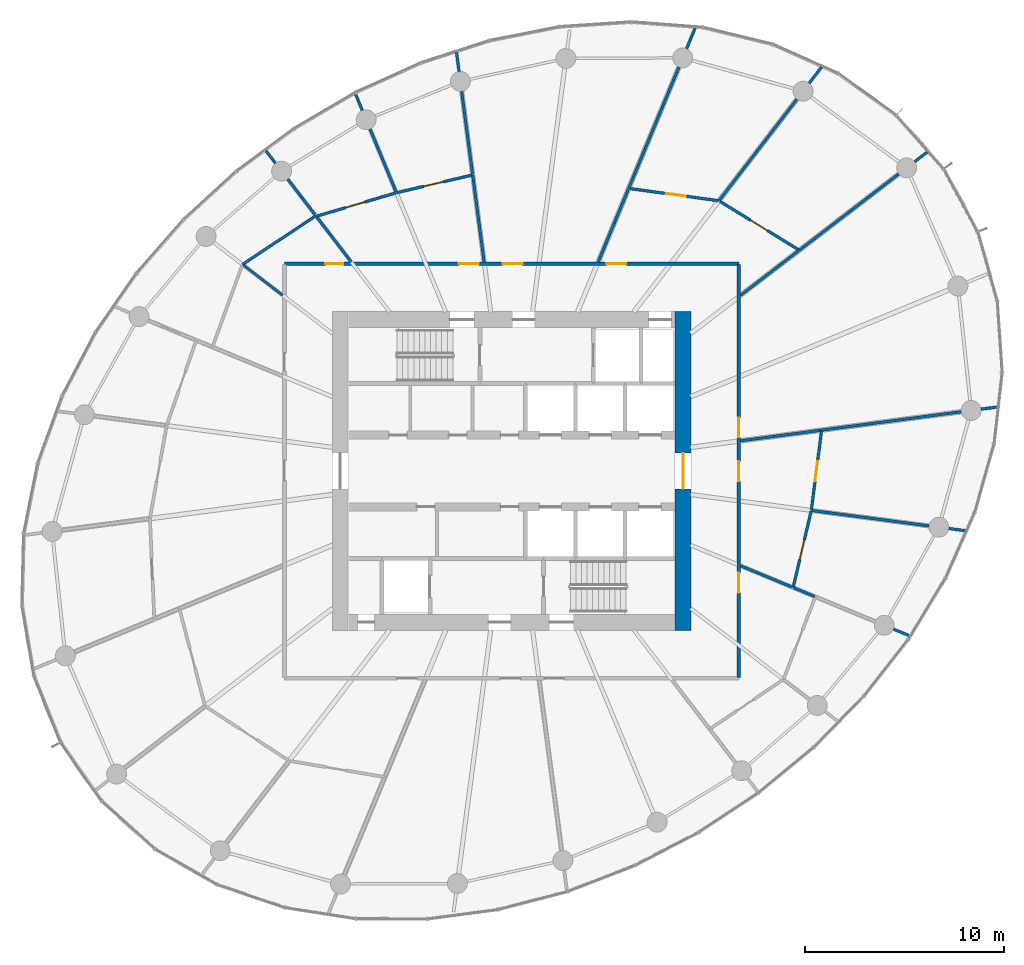
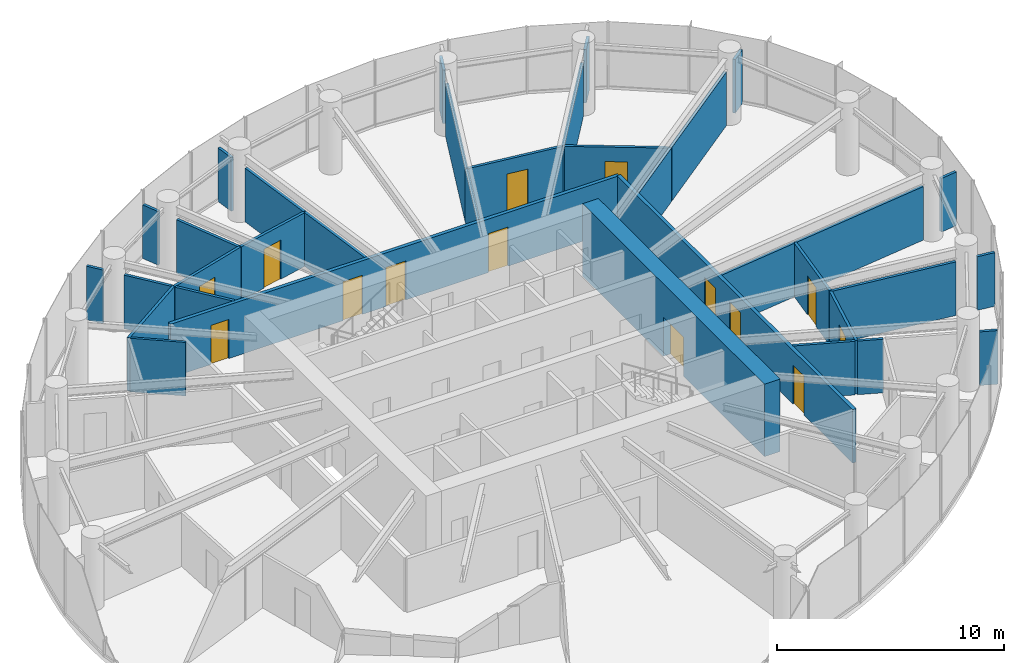
# One storey, part 11 of 15: 35 walls, 14 doors, 14 openings.
"""IFC4 building model written with IfcOpenShell, lengths in metres."""

from ifc_helpers import new_model, si_unit, direction, frame, frame_2d, origin, place, context, subcontext, project, spatial, rectangle, extrude, source, transform, mapped, material, layer, layer_set, type_object, element, fill, save


model = new_model("IFC4")

# Units and contexts
model_context = context("Model", 3, precision=1e-05, world=origin(), true_north=direction((0.0, 1.0)))
body_context = subcontext(model_context, "Body", "Model", "MODEL_VIEW")
ifc_project = project(units=[si_unit("LENGTHUNIT", "METRE"), si_unit("AREAUNIT", "SQUARE_METRE"), si_unit("VOLUMEUNIT", "CUBIC_METRE"), si_unit("PLANEANGLEUNIT", "RADIAN"), si_unit("MASSUNIT", "GRAM", prefix="KILO")], contexts=[model_context])

# Site, building, storey
site_placement = place(None, origin())
site = spatial("IfcSite", under=ifc_project, at=site_placement, CompositionType="ELEMENT")
building_placement = place(site_placement, origin())
building = spatial("IfcBuilding", under=site, at=building_placement, Name="Spindrift Exchange Tower", CompositionType="ELEMENT")
storey_placement = place(building_placement, frame((0.0, 0.0, 172.10009765625)))
storey = spatial("IfcBuildingStorey", under=building, at=storey_placement, Name="L41", CompositionType="ELEMENT", Elevation=172.10009765625)

# Wall, opening, door
ifc_material_1 = material(Name="Concrete 65 MPa", Category="concrete")
ifc_layer_1 = layer(ifc_material_1, 0.800048828125)
ifc_layer_set_1 = layer_set([ifc_layer_1], Name="RC Core Wall 800 Concrete 65 MPa")
wall_type_1 = type_object("IfcWallType", Name="RC Core Wall 800 Concrete 65 MPa", PredefinedType="SHEAR", material=ifc_layer_set_1)
wall_1_placement = place(storey_placement, frame((60.60009765625, 40.0, 0.0), z_axis=(0.0, 0.0, 1.0), x_axis=(0.0, 1.0, 0.0)))
wall_1 = element("IfcWall", 1, at=wall_1_placement, inside=storey, type_object=wall_type_1, Name="Core wall E L41", PredefinedType="SHEAR", context=body_context, shape_type="SweptSolid", body=[
    extrude(rectangle(XDim=16.0, YDim=0.800048828125, at=frame_2d((8.0, 0.0))), origin(), (0.0, 0.0, 1.0), 3.89990234375),
])
opening_1_placement = place(wall_1_placement, frame((7.10009765625, 0.0, 0.0)))
opening_1 = element("IfcOpeningElement", 2, at=opening_1_placement, cuts=wall_1, Name="Opening L41-D2", PredefinedType="OPENING", context=body_context, shape_type="SweptSolid", body=[
    extrude(rectangle(XDim=1.800048828125, YDim=2.10009765625, at=frame_2d((0.89990234375, 1.050048828125))), frame((0.0, 0.409912109375, 0.0), z_axis=(0.0, -1.0, 0.0), x_axis=(1.0, 0.0, 0.0)), (0.0, 0.0, 1.0), 0.820068359375),
])
ifc_material_2 = material(Name="Timber-core fire door", Category="wood")
door_type_1 = type_object("IfcDoorType", Name="DR-LOBBY-1800", OperationType="NOTDEFINED", PredefinedType="DOOR", material=ifc_material_2)
shared_shape_1 = source(origin(), body_context, "Body", "SweptSolid", [
    extrude(rectangle(XDim=1.800048828125, YDim=2.10009765625, at=frame_2d((0.89990234375, 1.050048828125))), frame((0.0, 0.02490234375, 0.0), z_axis=(0.0, -1.0, 0.0), x_axis=(1.0, 0.0, 0.0)), (0.0, 0.0, 1.0), 0.050048828125),
])
door_1_placement = place(opening_1_placement, origin())
door_1 = element("IfcDoor", 3, at=door_1_placement, inside=storey, type_object=door_type_1, Name="L41 Lobby door 2", OperationType="SINGLE_SWING_LEFT", OverallHeight=2.10009765625, OverallWidth=1.800048828125, PredefinedType="DOOR", context=body_context, shape_type="MappedRepresentation", body=[
    mapped(shared_shape_1, transform((0.0, 0.0, 0.0), scale=1.0)),
])
fill(opening_1, door_1)

# Wall, openings, doors
ifc_material_3 = material(Name="Fire-rated plasterboard partition", Category="gypsum")
ifc_layer_2 = layer(ifc_material_3, 0.179931640625)
ifc_layer_set_2 = layer_set([ifc_layer_2], Name="W-CORR-180")
wall_type_2 = type_object("IfcWallType", Name="W-CORR-180", PredefinedType="PARTITIONING", material=ifc_layer_set_2)
wall_2_placement = place(storey_placement, frame((40.60009765625, 58.39990234375, 0.0), z_axis=(0.0, 0.0, 1.0), x_axis=(1.0, 0.0, 0.0)))
wall_2 = element("IfcWall", 4, at=wall_2_placement, inside=storey, type_object=wall_type_2, Name="L41 Partition wall 27", PredefinedType="PARTITIONING", context=body_context, shape_type="SweptSolid", body=[
    extrude(rectangle(XDim=22.7998046875, YDim=0.179931640625, at=frame_2d((11.39990234375, 0.0))), origin(), (0.0, 0.0, 1.0), 2.8798828125),
])
opening_2_placement = place(wall_2_placement, frame((2.050048828125, 0.0, 0.0)))
opening_2 = element("IfcOpeningElement", 5, at=opening_2_placement, cuts=wall_2, Name="Opening L41-D19", PredefinedType="OPENING", context=body_context, shape_type="SweptSolid", body=[
    extrude(rectangle(XDim=0.89990234375, YDim=2.10009765625, at=frame_2d((0.449951171875, 1.050048828125))), frame((0.0, 0.099853515625, 0.0), z_axis=(0.0, -1.0, 0.0), x_axis=(1.0, 0.0, 0.0)), (0.0, 0.0, 1.0), 0.199951171875),
])
opening_3_placement = place(wall_2_placement, frame((16.14990234375, 0.0, 0.0)))
opening_3 = element("IfcOpeningElement", 6, at=opening_3_placement, cuts=wall_2, Name="Opening L41-D39", PredefinedType="OPENING", context=body_context, shape_type="SweptSolid", body=[
    extrude(rectangle(XDim=1.0, YDim=2.10009765625, at=frame_2d((0.5, 1.050048828125))), frame((0.0, 0.099853515625, 0.0), z_axis=(0.0, -1.0, 0.0), x_axis=(1.0, 0.0, 0.0)), (0.0, 0.0, 1.0), 0.199951171875),
])
opening_4_placement = place(wall_2_placement, frame((10.949951171875, 0.0, 0.0)))
opening_4 = element("IfcOpeningElement", 7, at=opening_4_placement, cuts=wall_2, Name="Opening L41-D42", PredefinedType="OPENING", context=body_context, shape_type="SweptSolid", body=[
    extrude(rectangle(XDim=1.0, YDim=2.10009765625, at=frame_2d((0.5, 1.050048828125))), frame((0.0, 0.099853515625, 0.0), z_axis=(0.0, -1.0, 0.0), x_axis=(1.0, 0.0, 0.0)), (0.0, 0.0, 1.0), 0.199951171875),
])
opening_5_placement = place(wall_2_placement, frame((8.75, 0.0, 0.0)))
opening_5 = element("IfcOpeningElement", 8, at=opening_5_placement, cuts=wall_2, Name="Opening L41-D43", PredefinedType="OPENING", context=body_context, shape_type="SweptSolid", body=[
    extrude(rectangle(XDim=1.0, YDim=2.10009765625, at=frame_2d((0.5, 1.050048828125))), frame((0.0, 0.099853515625, 0.0), z_axis=(0.0, -1.0, 0.0), x_axis=(1.0, 0.0, 0.0)), (0.0, 0.0, 1.0), 0.199951171875),
])
door_type_2 = type_object("IfcDoorType", Name="DR-ROOM-1000", OperationType="NOTDEFINED", PredefinedType="DOOR", material=ifc_material_2)
shared_shape_2 = source(origin(), body_context, "Body", "SweptSolid", [
    extrude(rectangle(XDim=1.0, YDim=2.10009765625, at=frame_2d((0.5, 1.050048828125))), frame((0.0, 0.02490234375, 0.0), z_axis=(0.0, -1.0, 0.0), x_axis=(1.0, 0.0, 0.0)), (0.0, 0.0, 1.0), 0.050048828125),
])
door_2_placement = place(opening_3_placement, origin())
door_2 = element("IfcDoor", 9, at=door_2_placement, inside=storey, type_object=door_type_2, Name="L41 Door 39", OperationType="SINGLE_SWING_LEFT", OverallHeight=2.10009765625, OverallWidth=1.0, PredefinedType="DOOR", context=body_context, shape_type="MappedRepresentation", body=[
    mapped(shared_shape_2, transform((0.0, 0.0, 0.0), scale=1.0)),
])
fill(opening_3, door_2)
door_3_placement = place(opening_4_placement, origin())
door_3 = element("IfcDoor", 10, at=door_3_placement, inside=storey, type_object=door_type_2, Name="L41 Door 42", OperationType="SINGLE_SWING_RIGHT", OverallHeight=2.10009765625, OverallWidth=1.0, PredefinedType="DOOR", context=body_context, shape_type="MappedRepresentation", body=[
    mapped(shared_shape_2, transform((0.0, 0.0, 0.0), scale=1.0)),
])
fill(opening_4, door_3)
door_4_placement = place(opening_5_placement, origin())
door_4 = element("IfcDoor", 11, at=door_4_placement, inside=storey, type_object=door_type_2, Name="L41 Door 43", OperationType="SINGLE_SWING_LEFT", OverallHeight=2.10009765625, OverallWidth=1.0, PredefinedType="DOOR", context=body_context, shape_type="MappedRepresentation", body=[
    mapped(shared_shape_2, transform((0.0, 0.0, 0.0), scale=1.0)),
])
fill(opening_5, door_4)
ifc_material_4 = material(Name="Laminate washroom door", Category="wood")
door_type_3 = type_object("IfcDoorType", Name="DR-WC-900", OperationType="NOTDEFINED", PredefinedType="DOOR", material=ifc_material_4)
shared_shape_3 = source(origin(), body_context, "Body", "SweptSolid", [
    extrude(rectangle(XDim=0.89990234375, YDim=2.10009765625, at=frame_2d((0.449951171875, 1.050048828125))), frame((0.0, 0.02490234375, 0.0), z_axis=(0.0, -1.0, 0.0), x_axis=(1.0, 0.0, 0.0)), (0.0, 0.0, 1.0), 0.050048828125),
])
door_5_placement = place(opening_2_placement, origin())
door_5 = element("IfcDoor", 12, at=door_5_placement, inside=storey, type_object=door_type_3, Name="L41 WC door 19", OperationType="SINGLE_SWING_LEFT", OverallHeight=2.10009765625, OverallWidth=0.89990234375, PredefinedType="DOOR", context=body_context, shape_type="MappedRepresentation", body=[
    mapped(shared_shape_3, transform((0.0, 0.0, 0.0), scale=1.0)),
])
fill(opening_2, door_5)

wall_3_placement = place(storey_placement, frame((63.39990234375, 58.3701171875, 0.0), z_axis=(0.0, 0.0, 1.0), x_axis=(0.0, -1.0, 0.0)))
wall_3 = element("IfcWall", 13, at=wall_3_placement, inside=storey, type_object=wall_type_2, Name="L41 Partition wall 29", PredefinedType="PARTITIONING", context=body_context, shape_type="SweptSolid", body=[
    extrude(rectangle(XDim=20.740234375, YDim=0.179931640625, at=frame_2d((10.3701171875, 0.0))), origin(), (0.0, 0.0, 1.0), 2.8798828125),
])
opening_6_placement = place(wall_3_placement, frame((15.489990234375, 0.0, 0.0)))
opening_6 = element("IfcOpeningElement", 14, at=opening_6_placement, cuts=wall_3, Name="Opening L41-D32", PredefinedType="OPENING", context=body_context, shape_type="SweptSolid", body=[
    extrude(rectangle(XDim=1.0, YDim=2.10009765625, at=frame_2d((0.5, 1.050048828125))), frame((0.0, 0.099853515625, 0.0), z_axis=(0.0, -1.0, 0.0), x_axis=(1.0, 0.0, 0.0)), (0.0, 0.0, 1.0), 0.199951171875),
])
opening_7_placement = place(wall_3_placement, frame((9.889892578125, 0.0, 0.0)))
opening_7 = element("IfcOpeningElement", 15, at=opening_7_placement, cuts=wall_3, Name="Opening L41-D35", PredefinedType="OPENING", context=body_context, shape_type="SweptSolid", body=[
    extrude(rectangle(XDim=1.0, YDim=2.10009765625, at=frame_2d((0.5, 1.050048828125))), frame((0.0, 0.099853515625, 0.0), z_axis=(0.0, -1.0, 0.0), x_axis=(1.0, 0.0, 0.0)), (0.0, 0.0, 1.0), 0.199951171875),
])
opening_8_placement = place(wall_3_placement, frame((7.68994140625, 0.0, 0.0)))
opening_8 = element("IfcOpeningElement", 16, at=opening_8_placement, cuts=wall_3, Name="Opening L41-D38", PredefinedType="OPENING", context=body_context, shape_type="SweptSolid", body=[
    extrude(rectangle(XDim=1.0, YDim=2.10009765625, at=frame_2d((0.5, 1.050048828125))), frame((0.0, 0.099853515625, 0.0), z_axis=(0.0, -1.0, 0.0), x_axis=(1.0, 0.0, 0.0)), (0.0, 0.0, 1.0), 0.199951171875),
])
door_6_placement = place(opening_6_placement, origin())
door_6 = element("IfcDoor", 17, at=door_6_placement, inside=storey, type_object=door_type_2, Name="L41 Door 32", OperationType="SINGLE_SWING_RIGHT", OverallHeight=2.10009765625, OverallWidth=1.0, PredefinedType="DOOR", context=body_context, shape_type="MappedRepresentation", body=[
    mapped(shared_shape_2, transform((0.0, 0.0, 0.0), scale=1.0)),
])
fill(opening_6, door_6)
door_7_placement = place(opening_7_placement, origin())
door_7 = element("IfcDoor", 18, at=door_7_placement, inside=storey, type_object=door_type_2, Name="L41 Door 35", OperationType="SINGLE_SWING_LEFT", OverallHeight=2.10009765625, OverallWidth=1.0, PredefinedType="DOOR", context=body_context, shape_type="MappedRepresentation", body=[
    mapped(shared_shape_2, transform((0.0, 0.0, 0.0), scale=1.0)),
])
fill(opening_7, door_7)
door_8_placement = place(opening_8_placement, origin())
door_8 = element("IfcDoor", 19, at=door_8_placement, inside=storey, type_object=door_type_2, Name="L41 Door 38", OperationType="SINGLE_SWING_RIGHT", OverallHeight=2.10009765625, OverallWidth=1.0, PredefinedType="DOOR", context=body_context, shape_type="MappedRepresentation", body=[
    mapped(shared_shape_2, transform((0.0, 0.0, 0.0), scale=1.0)),
])
fill(opening_8, door_8)

# Walls
ifc_layer_3 = layer(ifc_material_3, 0.139892578125)
ifc_layer_set_3 = layer_set([ifc_layer_3], Name="W-PART-140")
wall_type_3 = type_object("IfcWallType", Name="W-PART-140", PredefinedType="PARTITIONING", material=ifc_layer_set_3)
wall_4_placement = place(storey_placement, frame((67.555908203125, 50.048095703125, 0.0), z_axis=(0.0, 0.0, 1.0), x_axis=(0.991449473543, 0.130491154531, 0.0)))
element("IfcWall", 20, at=wall_4_placement, inside=storey, type_object=wall_type_3, Name="L41 Partition wall 32", PredefinedType="PARTITIONING", context=body_context, shape_type="SweptSolid", body=[
    extrude(rectangle(XDim=7.06640625, YDim=0.139892578125, at=frame_2d((3.533203125, 0.0))), origin(), (0.0, 0.0, 1.0), 2.8798828125),
])
wall_5_placement = place(storey_placement, frame((57.873779296875, 62.180419921875, 0.0), z_axis=(0.0, 0.0, 1.0), x_axis=(0.382677040964, 0.92388217989, 0.0)))
element("IfcWall", 21, at=wall_5_placement, inside=storey, type_object=wall_type_3, Name="L41 Partition wall 33", PredefinedType="PARTITIONING", context=body_context, shape_type="SweptSolid", body=[
    extrude(rectangle(XDim=6.585205078125, YDim=0.139892578125, at=frame_2d((3.29248046875, 0.0))), origin(), (0.0, 0.0, 1.0), 2.8798828125),
])
wall_6_placement = place(storey_placement, frame((62.40478515625, 61.559814453125, 0.0), z_axis=(0.0, 0.0, 1.0), x_axis=(0.608781538985, 0.793337908958, 0.0)))
element("IfcWall", 22, at=wall_6_placement, inside=storey, type_object=wall_type_3, Name="L41 Partition wall 34", PredefinedType="PARTITIONING", context=body_context, shape_type="SweptSolid", body=[
    extrude(rectangle(XDim=6.427734375, YDim=0.139892578125, at=frame_2d((3.2138671875, 0.0))), origin(), (0.0, 0.0, 1.0), 2.8798828125),
])
wall_7_placement = place(storey_placement, frame((66.437255859375, 59.078125, 0.0), z_axis=(0.0, 0.0, 1.0), x_axis=(0.793368198418, 0.608742065032, 0.0)))
element("IfcWall", 23, at=wall_7_placement, inside=storey, type_object=wall_type_3, Name="L41 Partition wall 35", PredefinedType="PARTITIONING", context=body_context, shape_type="SweptSolid", body=[
    extrude(rectangle(XDim=6.287841796875, YDim=0.139892578125, at=frame_2d((3.14404296875, 0.0))), origin(), (0.0, 0.0, 1.0), 2.8798828125),
])
wall_8_placement = place(storey_placement, frame((67.03857421875, 46.02001953125, 0.0), z_axis=(0.0, 0.0, 1.0), x_axis=(0.991449269799, -0.130492702536, 0.0)))
element("IfcWall", 24, at=wall_8_placement, inside=storey, type_object=wall_type_3, Name="L41 Partition wall 36", PredefinedType="PARTITIONING", context=body_context, shape_type="SweptSolid", body=[
    extrude(rectangle(XDim=5.953369140625, YDim=0.139892578125, at=frame_2d((2.9765625, 0.0))), origin(), (0.0, 0.0, 1.0), 2.8798828125),
])

# Wall, opening, door
wall_9_placement = place(storey_placement, frame((62.46484375, 61.52294921875, 0.0), z_axis=(0.0, 0.0, 1.0), x_axis=(0.851618521929, -0.524162086675, 0.0)))
wall_9 = element("IfcWall", 25, at=wall_9_placement, inside=storey, type_object=wall_type_3, Name="L41 Partition wall 47", PredefinedType="PARTITIONING", context=body_context, shape_type="SweptSolid", body=[
    extrude(rectangle(XDim=4.634521484375, YDim=0.139892578125, at=frame_2d((2.3173828125, 0.0))), origin(), (0.0, 0.0, 1.0), 2.8798828125),
])
opening_9_placement = place(wall_9_placement, frame((1.78466796875, 0.0, 0.0)))
opening_9 = element("IfcOpeningElement", 26, at=opening_9_placement, cuts=wall_9, Name="Opening L41-D40", PredefinedType="OPENING", context=body_context, shape_type="SweptSolid", body=[
    extrude(rectangle(XDim=1.0, YDim=2.10009765625, at=frame_2d((0.5, 1.050048828125))), frame((0.0, 0.079833984375, 0.0), z_axis=(0.0, -1.0, 0.0), x_axis=(1.0, 0.0, 0.0)), (0.0, 0.0, 1.0), 0.159912109375),
])
door_9_placement = place(opening_9_placement, origin())
door_9 = element("IfcDoor", 27, at=door_9_placement, inside=storey, type_object=door_type_2, Name="L41 Door 40", OperationType="SINGLE_SWING_RIGHT", OverallHeight=2.10009765625, OverallWidth=1.0, PredefinedType="DOOR", context=body_context, shape_type="MappedRepresentation", body=[
    mapped(shared_shape_2, transform((0.0, 0.0, 0.0), scale=1.0)),
])
fill(opening_9, door_9)

wall_10_placement = place(storey_placement, frame((57.945556640625, 62.170654296875, 0.0), z_axis=(0.0, 0.0, 1.0), x_axis=(0.990750915394, -0.135693123057, 0.0)))
wall_10 = element("IfcWall", 28, at=wall_10_placement, inside=storey, type_object=wall_type_3, Name="L41 Partition wall 48", PredefinedType="PARTITIONING", context=body_context, shape_type="SweptSolid", body=[
    extrude(rectangle(XDim=4.470947265625, YDim=0.139892578125, at=frame_2d((2.2353515625, 0.0))), origin(), (0.0, 0.0, 1.0), 2.8798828125),
])
opening_10_placement = place(wall_10_placement, frame((1.821044921875, 0.0, 0.0)))
opening_10 = element("IfcOpeningElement", 29, at=opening_10_placement, cuts=wall_10, Name="Opening L41-D41", PredefinedType="OPENING", context=body_context, shape_type="SweptSolid", body=[
    extrude(rectangle(XDim=1.0, YDim=2.10009765625, at=frame_2d((0.5, 1.050048828125))), frame((0.0, 0.079833984375, 0.0), z_axis=(0.0, -1.0, 0.0), x_axis=(1.0, 0.0, 0.0)), (0.0, 0.0, 1.0), 0.159912109375),
])
door_10_placement = place(opening_10_placement, origin())
door_10 = element("IfcDoor", 30, at=door_10_placement, inside=storey, type_object=door_type_2, Name="L41 Door 41", OperationType="SINGLE_SWING_LEFT", OverallHeight=2.10009765625, OverallWidth=1.0, PredefinedType="DOOR", context=body_context, shape_type="MappedRepresentation", body=[
    mapped(shared_shape_2, transform((0.0, 0.0, 0.0), scale=1.0)),
])
fill(opening_10, door_10)

# Walls
wall_11_placement = place(storey_placement, frame((50.618896484375, 58.489990234375, 0.0), z_axis=(0.0, 0.0, 1.0), x_axis=(-0.130550630931, 0.99144164365, 0.0)))
element("IfcWall", 31, at=wall_11_placement, inside=storey, type_object=wall_type_3, Name="L41 Partition wall 50", PredefinedType="PARTITIONING", context=body_context, shape_type="SweptSolid", body=[
    extrude(rectangle(XDim=4.402099609375, YDim=0.139892578125, at=frame_2d((2.201171875, 0.0))), origin(), (0.0, 0.0, 1.0), 2.8798828125),
])
wall_12_placement = place(storey_placement, frame((42.175048828125, 60.80419921875, 0.0), z_axis=(0.0, 0.0, 1.0), x_axis=(-0.833696109899, -0.552223502162, 0.0)))
element("IfcWall", 32, at=wall_12_placement, inside=storey, type_object=wall_type_3, Name="L41 Partition wall 54", PredefinedType="PARTITIONING", context=body_context, shape_type="SweptSolid", body=[
    extrude(rectangle(XDim=4.41748046875, YDim=0.139892578125, at=frame_2d((2.208740234375, 0.0))), origin(), (0.0, 0.0, 1.0), 2.8798828125),
])
wall_13_placement = place(storey_placement, frame((50.040283203125, 62.884521484375, 0.0), z_axis=(0.0, 0.0, 1.0), x_axis=(-0.130474047821, 0.991451724919, 0.0)))
element("IfcWall", 33, at=wall_13_placement, inside=storey, type_object=wall_type_3, Name="L41 Partition wall 57", PredefinedType="PARTITIONING", context=body_context, shape_type="SweptSolid", body=[
    extrude(rectangle(XDim=4.20263671875, YDim=0.139892578125, at=frame_2d((2.101318359375, 0.0))), origin(), (0.0, 0.0, 1.0), 2.8798828125),
])

# Wall, opening, door
wall_14_placement = place(storey_placement, frame((42.193359375, 60.780517578125, 0.0), z_axis=(0.0, 0.0, 1.0), x_axis=(0.959388676041, 0.282087518838, 0.0)))
wall_14 = element("IfcWall", 34, at=wall_14_placement, inside=storey, type_object=wall_type_3, Name="L41 Partition wall 58", PredefinedType="PARTITIONING", context=body_context, shape_type="SweptSolid", body=[
    extrude(rectangle(XDim=4.193359375, YDim=0.139892578125, at=frame_2d((2.0966796875, 0.0))), origin(), (0.0, 0.0, 1.0), 2.8798828125),
])
opening_11_placement = place(wall_14_placement, frame((1.543212890625, 0.0, 0.0)))
opening_11 = element("IfcOpeningElement", 35, at=opening_11_placement, cuts=wall_14, Name="Opening L41-D45", PredefinedType="OPENING", context=body_context, shape_type="SweptSolid", body=[
    extrude(rectangle(XDim=1.0, YDim=2.10009765625, at=frame_2d((0.5, 1.050048828125))), frame((0.0, 0.079833984375, 0.0), z_axis=(0.0, -1.0, 0.0), x_axis=(1.0, 0.0, 0.0)), (0.0, 0.0, 1.0), 0.159912109375),
])
door_11_placement = place(opening_11_placement, origin())
door_11 = element("IfcDoor", 36, at=door_11_placement, inside=storey, type_object=door_type_2, Name="L41 Door 45", OperationType="SINGLE_SWING_LEFT", OverallHeight=2.10009765625, OverallWidth=1.0, PredefinedType="DOOR", context=body_context, shape_type="MappedRepresentation", body=[
    mapped(shared_shape_2, transform((0.0, 0.0, 0.0), scale=1.0)),
])
fill(opening_11, door_11)

# Walls
wall_15_placement = place(storey_placement, frame((63.489990234375, 49.5126953125, 0.0), z_axis=(0.0, 0.0, 1.0), x_axis=(0.99144081821, 0.130556899422, 0.0)))
element("IfcWall", 37, at=wall_15_placement, inside=storey, type_object=wall_type_3, Name="L41 Partition wall 59", PredefinedType="PARTITIONING", context=body_context, shape_type="SweptSolid", body=[
    extrude(rectangle(XDim=4.071044921875, YDim=0.139892578125, at=frame_2d((2.03564453125, 0.0))), origin(), (0.0, 0.0, 1.0), 2.8798828125),
])
wall_16_placement = place(storey_placement, frame((56.34521484375, 58.489990234375, 0.0), z_axis=(0.0, 0.0, 1.0), x_axis=(0.382659985547, 0.923889244153, 0.0)))
element("IfcWall", 38, at=wall_16_placement, inside=storey, type_object=wall_type_3, Name="L41 Partition wall 60", PredefinedType="PARTITIONING", context=body_context, shape_type="SweptSolid", body=[
    extrude(rectangle(XDim=3.964599609375, YDim=0.139892578125, at=frame_2d((1.982421875, 0.0))), origin(), (0.0, 0.0, 1.0), 2.8798828125),
])

# Wall, opening, door
wall_17_placement = place(storey_placement, frame((67.552001953125, 50.018310546875, 0.0), z_axis=(0.0, 0.0, 1.0), x_axis=(-0.127345948967, -0.991858361502, 0.0)))
wall_17 = element("IfcWall", 39, at=wall_17_placement, inside=storey, type_object=wall_type_3, Name="L41 Partition wall 61", PredefinedType="PARTITIONING", context=body_context, shape_type="SweptSolid", body=[
    extrude(rectangle(XDim=4.0009765625, YDim=0.139892578125, at=frame_2d((2.00048828125, 0.0))), origin(), (0.0, 0.0, 1.0), 2.8798828125),
])
opening_12_placement = place(wall_17_placement, frame((1.551025390625, 0.0, 0.0)))
opening_12 = element("IfcOpeningElement", 40, at=opening_12_placement, cuts=wall_17, Name="Opening L41-D37", PredefinedType="OPENING", context=body_context, shape_type="SweptSolid", body=[
    extrude(rectangle(XDim=1.0, YDim=2.10009765625, at=frame_2d((0.5, 1.050048828125))), frame((0.0, 0.079833984375, 0.0), z_axis=(0.0, -1.0, 0.0), x_axis=(1.0, 0.0, 0.0)), (0.0, 0.0, 1.0), 0.159912109375),
])
door_12_placement = place(opening_12_placement, origin())
door_12 = element("IfcDoor", 41, at=door_12_placement, inside=storey, type_object=door_type_2, Name="L41 Door 37", OperationType="SINGLE_SWING_LEFT", OverallHeight=2.10009765625, OverallWidth=1.0, PredefinedType="DOOR", context=body_context, shape_type="MappedRepresentation", body=[
    mapped(shared_shape_2, transform((0.0, 0.0, 0.0), scale=1.0)),
])
fill(opening_12, door_12)

wall_18_placement = place(storey_placement, frame((67.03173828125, 45.990966796875, 0.0), z_axis=(0.0, 0.0, 1.0), x_axis=(-0.229125506444, -0.973396888374, 0.0)))
wall_18 = element("IfcWall", 42, at=wall_18_placement, inside=storey, type_object=wall_type_3, Name="L41 Partition wall 62", PredefinedType="PARTITIONING", context=body_context, shape_type="SweptSolid", body=[
    extrude(rectangle(XDim=3.94775390625, YDim=0.139892578125, at=frame_2d((1.973876953125, 0.0))), origin(), (0.0, 0.0, 1.0), 2.8798828125),
])
opening_13_placement = place(wall_18_placement, frame((1.49755859375, 0.0, 0.0)))
opening_13 = element("IfcOpeningElement", 43, at=opening_13_placement, cuts=wall_18, Name="Opening L41-D36", PredefinedType="OPENING", context=body_context, shape_type="SweptSolid", body=[
    extrude(rectangle(XDim=1.0, YDim=2.10009765625, at=frame_2d((0.5, 1.050048828125))), frame((0.0, 0.079833984375, 0.0), z_axis=(0.0, -1.0, 0.0), x_axis=(1.0, 0.0, 0.0)), (0.0, 0.0, 1.0), 0.159912109375),
])
door_13_placement = place(opening_13_placement, origin())
door_13 = element("IfcDoor", 44, at=door_13_placement, inside=storey, type_object=door_type_2, Name="L41 Door 36", OperationType="SINGLE_SWING_RIGHT", OverallHeight=2.10009765625, OverallWidth=1.0, PredefinedType="DOOR", context=body_context, shape_type="MappedRepresentation", body=[
    mapped(shared_shape_2, transform((0.0, 0.0, 0.0), scale=1.0)),
])
fill(opening_13, door_13)

wall_19_placement = place(storey_placement, frame((46.245361328125, 61.97021484375, 0.0), z_axis=(0.0, 0.0, 1.0), x_axis=(0.973958620347, 0.226725838519, 0.0)))
wall_19 = element("IfcWall", 45, at=wall_19_placement, inside=storey, type_object=wall_type_3, Name="L41 Partition wall 63", PredefinedType="PARTITIONING", context=body_context, shape_type="SweptSolid", body=[
    extrude(rectangle(XDim=3.830322265625, YDim=0.139892578125, at=frame_2d((1.9150390625, 0.0))), origin(), (0.0, 0.0, 1.0), 2.8798828125),
])
opening_14_placement = place(wall_19_placement, frame((1.380126953125, 0.0, 0.0)))
opening_14 = element("IfcOpeningElement", 46, at=opening_14_placement, cuts=wall_19, Name="Opening L41-D44", PredefinedType="OPENING", context=body_context, shape_type="SweptSolid", body=[
    extrude(rectangle(XDim=1.0, YDim=2.10009765625, at=frame_2d((0.5, 1.050048828125))), frame((0.0, 0.079833984375, 0.0), z_axis=(0.0, -1.0, 0.0), x_axis=(1.0, 0.0, 0.0)), (0.0, 0.0, 1.0), 0.159912109375),
])
door_14_placement = place(opening_14_placement, origin())
door_14 = element("IfcDoor", 47, at=door_14_placement, inside=storey, type_object=door_type_2, Name="L41 Door 44", OperationType="SINGLE_SWING_RIGHT", OverallHeight=2.10009765625, OverallWidth=1.0, PredefinedType="DOOR", context=body_context, shape_type="MappedRepresentation", body=[
    mapped(shared_shape_2, transform((0.0, 0.0, 0.0), scale=1.0)),
])
fill(opening_14, door_14)

# Walls
wall_20_placement = place(storey_placement, frame((63.489990234375, 56.816650390625, 0.0), z_axis=(0.0, 0.0, 1.0), x_axis=(0.793352487639, 0.608762540206, 0.0)))
element("IfcWall", 48, at=wall_20_placement, inside=storey, type_object=wall_type_3, Name="L41 Partition wall 65", PredefinedType="PARTITIONING", context=body_context, shape_type="SweptSolid", body=[
    extrude(rectangle(XDim=3.684814453125, YDim=0.139892578125, at=frame_2d((1.84228515625, 0.0))), origin(), (0.0, 0.0, 1.0), 2.8798828125),
])
wall_21_placement = place(storey_placement, frame((46.189208984375, 62.0283203125, 0.0), z_axis=(0.0, 0.0, 1.0), x_axis=(-0.382691135874, 0.923876341576, 0.0)))
element("IfcWall", 49, at=wall_21_placement, inside=storey, type_object=wall_type_3, Name="L41 Partition wall 67", PredefinedType="PARTITIONING", context=body_context, shape_type="SweptSolid", body=[
    extrude(rectangle(XDim=3.388916015625, YDim=0.139892578125, at=frame_2d((1.6943359375, 0.0))), origin(), (0.0, 0.0, 1.0), 2.8798828125),
])
wall_22_placement = place(storey_placement, frame((43.95068359375, 58.489990234375, 0.0), z_axis=(0.0, 0.0, 1.0), x_axis=(-0.608715851353, 0.793388311177, 0.0)))
element("IfcWall", 50, at=wall_22_placement, inside=storey, type_object=wall_type_3, Name="L41 Partition wall 70", PredefinedType="PARTITIONING", context=body_context, shape_type="SweptSolid", body=[
    extrude(rectangle(XDim=2.81201171875, YDim=0.139892578125, at=frame_2d((1.406005859375, 0.0))), origin(), (0.0, 0.0, 1.0), 2.8798828125),
])
wall_23_placement = place(storey_placement, frame((63.489990234375, 43.24072265625, 0.0), z_axis=(0.0, 0.0, 1.0), x_axis=(0.923889630629, -0.382659052443, 0.0)))
element("IfcWall", 51, at=wall_23_placement, inside=storey, type_object=wall_type_3, Name="L41 Partition wall 71", PredefinedType="PARTITIONING", context=body_context, shape_type="SweptSolid", body=[
    extrude(rectangle(XDim=2.78369140625, YDim=0.139892578125, at=frame_2d((1.391845703125, 0.0))), origin(), (0.0, 0.0, 1.0), 2.8798828125),
])
wall_24_placement = place(storey_placement, frame((42.13232421875, 60.85986328125, 0.0), z_axis=(0.0, 0.0, 1.0), x_axis=(-0.60873458163, 0.793373940288, 0.0)))
element("IfcWall", 52, at=wall_24_placement, inside=storey, type_object=wall_type_3, Name="L41 Partition wall 76", PredefinedType="PARTITIONING", context=body_context, shape_type="SweptSolid", body=[
    extrude(rectangle(XDim=2.249267578125, YDim=0.139892578125, at=frame_2d((1.12451171875, 0.0))), origin(), (0.0, 0.0, 1.0), 2.8798828125),
])
wall_25_placement = place(storey_placement, frame((66.15478515625, 42.136962890625, 0.0), z_axis=(0.0, 0.0, 1.0), x_axis=(0.923881792955, -0.382677975126, 0.0)))
element("IfcWall", 53, at=wall_25_placement, inside=storey, type_object=wall_type_3, Name="L41 Partition wall 80", PredefinedType="PARTITIONING", context=body_context, shape_type="SweptSolid", body=[
    extrude(rectangle(XDim=1.145751953125, YDim=0.139892578125, at=frame_2d((0.57275390625, 0.0))), origin(), (0.0, 0.0, 1.0), 2.8798828125),
])
wall_26_placement = place(storey_placement, frame((60.7802734375, 69.197509765625, 0.0), z_axis=(0.0, 0.0, 1.0), x_axis=(0.382724096228, 0.923862687939, 0.0)))
element("IfcWall", 54, at=wall_26_placement, inside=storey, type_object=wall_type_3, Name="L41 Partition wall 83", PredefinedType="PARTITIONING", context=body_context, shape_type="SweptSolid", body=[
    extrude(rectangle(XDim=1.100341796875, YDim=0.139892578125, at=frame_2d((0.55029296875, 0.0))), origin(), (0.0, 0.0, 1.0), 2.8798828125),
])
wall_27_placement = place(storey_placement, frame((66.931884765625, 67.459716796875, 0.0), z_axis=(0.0, 0.0, 1.0), x_axis=(0.608710939512, 0.793392079692, 0.0)))
element("IfcWall", 55, at=wall_27_placement, inside=storey, type_object=wall_type_3, Name="L41 Partition wall 85", PredefinedType="PARTITIONING", context=body_context, shape_type="SweptSolid", body=[
    extrude(rectangle(XDim=1.027099609375, YDim=0.139892578125, at=frame_2d((0.513671875, 0.0))), origin(), (0.0, 0.0, 1.0), 2.8798828125),
])
wall_28_placement = place(storey_placement, frame((49.360107421875, 68.051513671875, 0.0), z_axis=(0.0, 0.0, 1.0), x_axis=(-0.130303682633, 0.991474129916, 0.0)))
element("IfcWall", 56, at=wall_28_placement, inside=storey, type_object=wall_type_3, Name="L41 Partition wall 87", PredefinedType="PARTITIONING", context=body_context, shape_type="SweptSolid", body=[
    extrude(rectangle(XDim=0.963134765625, YDim=0.139892578125, at=frame_2d((0.4814453125, 0.0))), origin(), (0.0, 0.0, 1.0), 2.8798828125),
])
wall_29_placement = place(storey_placement, frame((44.505859375, 66.09228515625, 0.0), z_axis=(0.0, 0.0, 1.0), x_axis=(-0.38261179702, 0.923909201589, 0.0)))
element("IfcWall", 57, at=wall_29_placement, inside=storey, type_object=wall_type_3, Name="L41 Partition wall 89", PredefinedType="PARTITIONING", context=body_context, shape_type="SweptSolid", body=[
    extrude(rectangle(XDim=0.85693359375, YDim=0.139892578125, at=frame_2d((0.428466796875, 0.0))), origin(), (0.0, 0.0, 1.0), 2.8798828125),
])
wall_30_placement = place(storey_placement, frame((72.22607421875, 63.52001953125, 0.0), z_axis=(0.0, 0.0, 1.0), x_axis=(0.793240633291, 0.608908283484, 0.0)))
element("IfcWall", 58, at=wall_30_placement, inside=storey, type_object=wall_type_3, Name="L41 Partition wall 91", PredefinedType="PARTITIONING", context=body_context, shape_type="SweptSolid", body=[
    extrude(rectangle(XDim=0.83837890625, YDim=0.139892578125, at=frame_2d((0.419189453125, 0.0))), origin(), (0.0, 0.0, 1.0), 2.8798828125),
])
wall_31_placement = place(storey_placement, frame((73.941162109375, 45.111328125, 0.0), z_axis=(0.0, 0.0, 1.0), x_axis=(0.991453302112, -0.130462062421, 0.0)))
element("IfcWall", 59, at=wall_31_placement, inside=storey, type_object=wall_type_3, Name="L41 Partition wall 93", PredefinedType="PARTITIONING", context=body_context, shape_type="SweptSolid", body=[
    extrude(rectangle(XDim=0.83642578125, YDim=0.139892578125, at=frame_2d((0.418212890625, 0.0))), origin(), (0.0, 0.0, 1.0), 2.8798828125),
])
wall_32_placement = place(storey_placement, frame((75.56201171875, 51.10205078125, 0.0), z_axis=(0.0, 0.0, 1.0), x_axis=(0.991444308748, 0.130530389761, 0.0)))
element("IfcWall", 60, at=wall_32_placement, inside=storey, type_object=wall_type_3, Name="L41 Partition wall 94", PredefinedType="PARTITIONING", context=body_context, shape_type="SweptSolid", body=[
    extrude(rectangle(XDim=0.832275390625, YDim=0.139892578125, at=frame_2d((0.416015625, 0.0))), origin(), (0.0, 0.0, 1.0), 2.8798828125),
])
wall_33_placement = place(storey_placement, frame((71.166015625, 40.061279296875, 0.0), z_axis=(0.0, 0.0, 1.0), x_axis=(0.923798714545, -0.382878485951, 0.0)))
element("IfcWall", 61, at=wall_33_placement, inside=storey, type_object=wall_type_3, Name="L41 Partition wall 96", PredefinedType="PARTITIONING", context=body_context, shape_type="SweptSolid", body=[
    extrude(rectangle(XDim=0.81884765625, YDim=0.139892578125, at=frame_2d((0.409423828125, 0.0))), origin(), (0.0, 0.0, 1.0), 2.8798828125),
])
wall_34_placement = place(storey_placement, frame((40.14892578125, 63.444580078125, 0.0), z_axis=(0.0, 0.0, 1.0), x_axis=(-0.60871867817, 0.793386142334, 0.0)))
element("IfcWall", 62, at=wall_34_placement, inside=storey, type_object=wall_type_3, Name="L41 Partition wall 100", PredefinedType="PARTITIONING", context=body_context, shape_type="SweptSolid", body=[
    extrude(rectangle(XDim=0.785400390625, YDim=0.139892578125, at=frame_2d((0.392578125, 0.0))), origin(), (0.0, 0.0, 1.0), 2.8798828125),
])
ifc_layer_4 = layer(ifc_material_3, 0.1201171875)
ifc_layer_set_4 = layer_set([ifc_layer_4], Name="W-WET-120")
wall_type_4 = type_object("IfcWallType", Name="W-WET-120", PredefinedType="PARTITIONING", material=ifc_layer_set_4)
wall_35_placement = place(storey_placement, frame((40.510009765625, 56.816650390625, 0.0), z_axis=(0.0, 0.0, 1.0), x_axis=(-0.79340260872, 0.608697215762, 0.0)))
element("IfcWall", 63, at=wall_35_placement, inside=storey, type_object=wall_type_4, Name="L41 Partition wall 101", PredefinedType="PARTITIONING", context=body_context, shape_type="SweptSolid", body=[
    extrude(rectangle(XDim=2.468994140625, YDim=0.1201171875, at=frame_2d((1.234375, 0.0))), origin(), (0.0, 0.0, 1.0), 2.8798828125),
])

save(model, "model.ifc")
